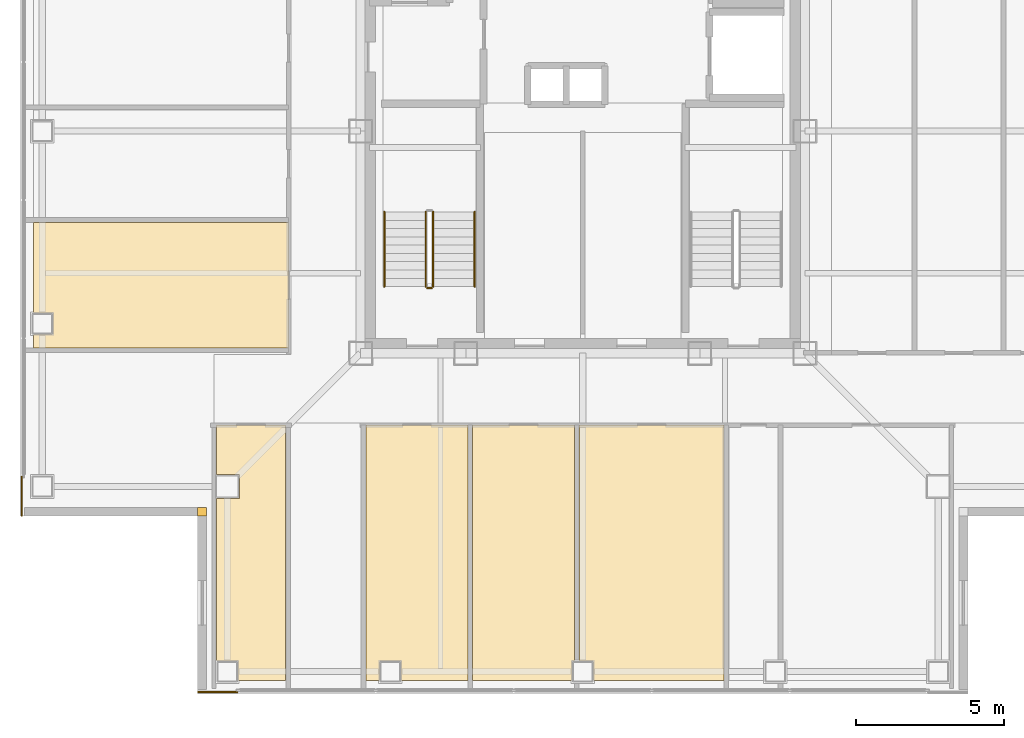
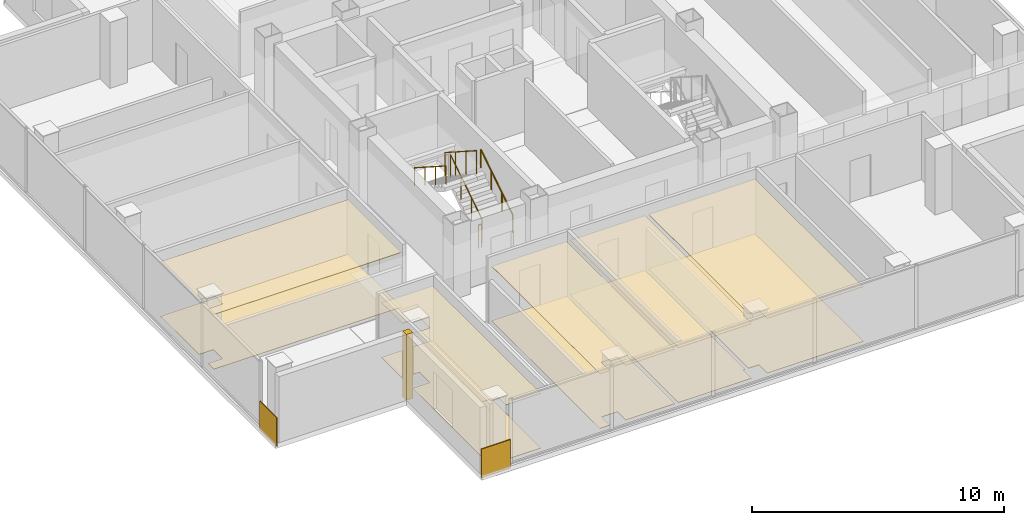
# One storey, part 11 of 16: 13 coverings, 5 railings.
"""IFC4 building model written with IfcOpenShell, lengths in metres."""

import ifcopenshell
import ifcopenshell.guid

model = None  # the IFC model being written
_history = None  # IfcOwnerHistory: only IFC2X3 demands one
_inside = {}  # id of a spatial element -> (the spatial element, [elements in it])
_under = {}  # id of a project, library or spatial element -> (it, [spatial elements below it])
_declared = {}  # id of a project -> (the project, [libraries it declares])
_typed = {}  # id of a type object -> (the type object, [elements of that type])
_made_of = {}  # id of a material, layer set ... -> (it, [elements and type objects made of it])


def new_model(schema):
    """Start an empty IFC model of exactly this schema.

    Asked for "IFC4X3", IfcOpenShell would pick the latest addendum, in which some entities
    have other attributes; the version numbers below select the first issue.
    IFC2X3 requires an IfcOwnerHistory on every rooted entity: one is made here for all.
    """
    global model, _history
    if schema == "IFC4X3":
        model = ifcopenshell.file(schema_version=(4, 3, 0, 0))
    else:
        model = ifcopenshell.file(schema=schema)
    _inside.clear()
    _under.clear()
    _declared.clear()
    _typed.clear()
    _made_of.clear()
    _history = None
    if model.schema == "IFC2X3":
        org = make("IfcOrganization", Name="unknown")
        user = make(
            "IfcPersonAndOrganization",
            ThePerson=make("IfcPerson", FamilyName="unknown"),
            TheOrganization=org,
        )
        app = make(
            "IfcApplication",
            ApplicationDeveloper=org,
            Version="unknown",
            ApplicationFullName="unknown",
            ApplicationIdentifier="unknown",
        )
        _history = make(
            "IfcOwnerHistory",
            OwningUser=user,
            OwningApplication=app,
            ChangeAction="ADDED",
            CreationDate=0,
        )
    return model


def make(cls, **values):
    """One entity of the class cls with the attributes given. An attribute that is None is left unset."""
    return model.create_entity(
        cls, **{name: value for name, value in values.items() if value is not None}
    )


def rooted(cls, **values):
    """An entity with a GlobalId (a new one), such as an element, a storey or a relation."""
    return make(cls, GlobalId=ifcopenshell.guid.new(), OwnerHistory=_history, **values)


def si_unit(unit_type, name, prefix=None):
    """IfcSIUnit, for example si_unit("LENGTHUNIT", "METRE", prefix="MILLI")."""
    return make("IfcSIUnit", UnitType=unit_type, Prefix=prefix, Name=name)


def assignment(units):
    """IfcUnitAssignment: the units of a project."""
    return None if units is None else make("IfcUnitAssignment", Units=units)


def point(xyz):
    """IfcCartesianPoint."""
    return None if xyz is None else make("IfcCartesianPoint", Coordinates=xyz)


def direction(xyz):
    """IfcDirection."""
    return None if xyz is None else make("IfcDirection", DirectionRatios=xyz)


def frame(location, z_axis=None, x_axis=None):
    """IfcAxis2Placement3D, a coordinate frame: its origin and axes. An axis left out is left unset."""
    return make(
        "IfcAxis2Placement3D",
        Location=point(location),
        Axis=direction(z_axis),
        RefDirection=direction(x_axis),
    )


def frame_2d(location, x_axis=None):
    """IfcAxis2Placement2D, a coordinate frame in the plane: its origin and x axis."""
    return make(
        "IfcAxis2Placement2D", Location=point(location), RefDirection=direction(x_axis)
    )


def origin():
    """The frame at (0, 0, 0) with its axes left unset."""
    return frame((0.0, 0.0, 0.0))


def origin_2d():
    """The frame at (0, 0) in the plane with its x axis left unset."""
    return frame_2d((0.0, 0.0))


def place(relative_to, where):
    """IfcLocalPlacement: puts the frame where relative to a parent placement (None: the world)."""
    return make(
        "IfcLocalPlacement", PlacementRelTo=relative_to, RelativePlacement=where
    )


def context(
    kind, dimensions, precision=None, world=None, true_north=None, identifier=None
):
    """IfcGeometricRepresentationContext, for example the 3D "Model" context."""
    return make(
        "IfcGeometricRepresentationContext",
        ContextIdentifier=identifier,
        ContextType=kind,
        CoordinateSpaceDimension=dimensions,
        Precision=precision,
        WorldCoordinateSystem=world,
        TrueNorth=true_north,
    )


def subcontext(parent, identifier, kind, view, scale=None):
    """IfcGeometricRepresentationSubContext, for example "Body" below "Model"."""
    return make(
        "IfcGeometricRepresentationSubContext",
        ContextIdentifier=identifier,
        ContextType=kind,
        ParentContext=parent,
        TargetScale=scale,
        TargetView=view,
    )


def project(units=None, contexts=None):
    """IfcProject with its units and contexts."""
    return rooted(
        "IfcProject",
        Name="project",
        RepresentationContexts=contexts,
        UnitsInContext=assignment(units),
    )


def spatial(cls, under=None, at=None, **own):
    """A site, building, storey or space (cls), placed at a placement, below another one or the project."""
    s = rooted(cls, ObjectPlacement=at, **own)
    if under is not None:
        _under.setdefault(under.id(), (under, []))[1].append(s)
    return s


def polyline(points):
    """IfcPolyline through the points."""
    return make("IfcPolyline", Points=[point(p) for p in points])


def profile(cls, at=None, kind="AREA", **sizes):
    """A parametric profile (cls). Its sizes go by their IFC names, for example OverallWidth=200.0."""
    return make(cls, ProfileType=kind, Position=at, **sizes)


def rectangle(**sizes):
    """IfcRectangleProfileDef."""
    return profile("IfcRectangleProfileDef", **sizes)


def circle(**sizes):
    """IfcCircleProfileDef."""
    return profile("IfcCircleProfileDef", **sizes)


def outline(outer, holes=None, kind="AREA"):
    """IfcArbitraryClosedProfileDef: a profile drawn as a closed curve; with holes, ...WithVoids."""
    if holes is None:
        return make("IfcArbitraryClosedProfileDef", ProfileType=kind, OuterCurve=outer)
    return make(
        "IfcArbitraryProfileDefWithVoids",
        ProfileType=kind,
        OuterCurve=outer,
        InnerCurves=holes,
    )


def extrude(swept, where, along, depth):
    """IfcExtrudedAreaSolid: the profile swept, set in the frame where, extruded along a direction by depth."""
    return make(
        "IfcExtrudedAreaSolid",
        SweptArea=swept,
        Position=where,
        ExtrudedDirection=direction(along),
        Depth=depth,
    )


def shape(context_of_items, identifier, shape_type, items):
    """IfcShapeRepresentation: the items that make up one representation, for example the "Body"."""
    return make(
        "IfcShapeRepresentation",
        ContextOfItems=context_of_items,
        RepresentationIdentifier=identifier,
        RepresentationType=shape_type,
        Items=items,
    )


def material(Name=None, Category=None):
    """IfcMaterial."""
    return make("IfcMaterial", Name=Name, Category=Category)


def layer(
    of_material, thickness, ventilated=None, Name=None, Category=None, Priority=None
):
    """IfcMaterialLayer: one layer of a wall or slab, of a material (None: an air gap)."""
    return make(
        "IfcMaterialLayer",
        Material=of_material,
        LayerThickness=thickness,
        IsVentilated=ventilated,
        Name=Name,
        Category=Category,
        Priority=Priority,
    )


def layer_set(layers, Name=None):
    """IfcMaterialLayerSet."""
    return make("IfcMaterialLayerSet", MaterialLayers=layers, LayerSetName=Name)


def made_of(thing, what):
    """Note that an element or type object is made of a material, layer set ...; save() writes the relation."""
    if what is not None:
        _made_of.setdefault(what.id(), (what, []))[1].append(thing)
    return thing


def type_object(cls, material=None, **own):
    """A type object (cls), such as IfcWallType, which elements share."""
    return made_of(rooted(cls, **own), material)


def element(
    cls,
    number,
    at=None,
    inside=None,
    cuts=None,
    type_object=None,
    material=None,
    context=None,
    identifier="Body",
    shape_type=None,
    held_by="IfcProductDefinitionShape",
    body=None,
    shapes=None,
    **own,
):
    """One element of the class cls, such as IfcWall. Its Tag is "e" and its number.

    at: its placement. inside: the storey or other place that contains it. cuts: it is an
    opening in that element (IfcRelVoidsElement). A single representation is given by context,
    identifier, shape_type and body (its items); several are given by shapes. held_by: the class
    of the entity that holds the representations. save() writes the other relations.
    """
    e = rooted(cls, Tag="e%d" % number, ObjectPlacement=at, **own)
    if body is not None:
        shapes = [shape(context, identifier, shape_type, body)]
    if shapes is not None:
        e.Representation = make(held_by, Representations=shapes)
    if inside is not None:
        _inside.setdefault(inside.id(), (inside, []))[1].append(e)
    if cuts is not None:
        rooted(
            "IfcRelVoidsElement", RelatingBuildingElement=cuts, RelatedOpeningElement=e
        )
    if type_object is not None:
        _typed.setdefault(type_object.id(), (type_object, []))[1].append(e)
    return made_of(e, material)


def aggregate(whole, parts):
    """IfcRelAggregates: a whole, such as a stair, and the parts it consists of."""
    return rooted("IfcRelAggregates", RelatingObject=whole, RelatedObjects=parts)


def save(model, path):
    """Write the relations noted so far, then the file.

    IfcRelAggregates (storeys below a building ...), IfcRelContainedInSpatialStructure (elements
    in a storey), IfcRelDefinesByType, IfcRelAssociatesMaterial and IfcRelDeclares: one each for
    every whole, place, type object, material and project.
    """
    for whole, parts in _under.values():
        aggregate(whole, parts)
    for where, things in _inside.values():
        rooted(
            "IfcRelContainedInSpatialStructure",
            RelatedElements=things,
            RelatingStructure=where,
        )
    for kind, things in _typed.values():
        rooted("IfcRelDefinesByType", RelatedObjects=things, RelatingType=kind)
    for what, things in _made_of.values():
        rooted("IfcRelAssociatesMaterial", RelatedObjects=things, RelatingMaterial=what)
    for by, libraries in _declared.values():
        rooted("IfcRelDeclares", RelatingContext=by, RelatedDefinitions=libraries)
    model.write(path)


model = new_model("IFC4")

# Units and contexts
model_context = context("Model", 3, precision=1e-05, world=origin(), true_north=direction((0.0, 1.0)))
body_context = subcontext(model_context, "Body", "Model", "MODEL_VIEW")
ifc_project = project(units=[si_unit("LENGTHUNIT", "METRE"), si_unit("AREAUNIT", "SQUARE_METRE"), si_unit("VOLUMEUNIT", "CUBIC_METRE"), si_unit("PLANEANGLEUNIT", "RADIAN"), si_unit("MASSUNIT", "GRAM", prefix="KILO")], contexts=[model_context])

# Site, building, storey
site_placement = place(None, origin())
site = spatial("IfcSite", under=ifc_project, at=site_placement, CompositionType="ELEMENT")
building_placement = place(site_placement, origin())
building = spatial("IfcBuilding", under=site, at=building_placement, Name="Trevonay Congress Spire", CompositionType="ELEMENT")
storey_placement = place(building_placement, frame((0.0, 0.0, 297.199951171875)))
storey = spatial("IfcBuildingStorey", under=building, at=storey_placement, Name="L78", CompositionType="ELEMENT", Elevation=297.199951171875)

# Coverings
ifc_material_1 = material(Name="Acoustic Mineral Fibre Board", Category="gypsum")
ifc_layer_1 = layer(ifc_material_1, 0.02490234375, Name="Acoustic Mineral Fibre Board")
ifc_layer_set_1 = layer_set([ifc_layer_1], Name="Acoustic Mineral Fibre Board")
covering_type_1 = type_object("IfcCoveringType", Name="COV-CEIL-ACOUSTIC", PredefinedType="CEILING", material=ifc_layer_set_1)
covering_1_placement = place(storey_placement, frame((0.0, 0.0, 2.650146484375)))
element("IfcCovering", 1, at=covering_1_placement, inside=storey, type_object=covering_type_1, Name="L78 Sommelier Reserve Tasting Kitchen acoustic suspended ceiling", PredefinedType="CEILING", context=body_context, shape_type="SweptSolid", body=[
    extrude(outline(polyline([(-12.3701171875, -18.550048828125), (-12.3701171875, -12.409912109375), (-11.590087890625, -12.409912109375), (-11.590087890625, -11.590087890625), (-12.3701171875, -11.590087890625), (-12.3701171875, -9.929931640625), (-10.030029296875, -9.929931640625), (-10.030029296875, -18.550048828125), (-11.639892578125, -18.550048828125), (-11.639892578125, -17.889892578125), (-12.360107421875, -17.889892578125), (-12.360107421875, -18.550048828125), (-12.3701171875, -18.550048828125)])), origin(), (0.0, 0.0, 1.0), 0.02490234375),
])
covering_2_placement = place(storey_placement, frame((0.0, 0.0, 2.650146484375)))
element("IfcCovering", 2, at=covering_2_placement, inside=storey, type_object=covering_type_1, Name="L78 Sky Brasserie Show Kitchen acoustic suspended ceiling", PredefinedType="CEILING", context=body_context, shape_type="SweptSolid", body=[
    extrude(outline(polyline([(-7.320068359375, -18.550048828125), (-7.320068359375, -9.929931640625), (-3.8798828125, -9.929931640625), (-3.8798828125, -18.550048828125), (-6.139892578125, -18.550048828125), (-6.139892578125, -17.889892578125), (-6.860107421875, -17.889892578125), (-6.860107421875, -18.550048828125), (-7.320068359375, -18.550048828125)])), origin(), (0.0, 0.0, 1.0), 0.02490234375),
])
covering_3_placement = place(storey_placement, frame((0.0, 0.0, 2.650146484375)))
element("IfcCovering", 3, at=covering_3_placement, inside=storey, type_object=covering_type_1, Name="L78 Pastry Studio Kitchen acoustic suspended ceiling", PredefinedType="CEILING", context=body_context, shape_type="SweptSolid", body=[
    extrude(outline(polyline([(-3.719970703125, -18.550048828125), (-3.719970703125, -9.929931640625), (-0.280029296875, -9.929931640625), (-0.280029296875, -17.889892578125), (-0.360107421875, -17.889892578125), (-0.360107421875, -18.550048828125), (-3.719970703125, -18.550048828125)])), origin(), (0.0, 0.0, 1.0), 0.02490234375),
])
covering_4_placement = place(storey_placement, frame((0.0, 0.0, 2.650146484375)))
element("IfcCovering", 4, at=covering_4_placement, inside=storey, type_object=covering_type_1, Name="L78 Espresso Roastery Bar acoustic suspended ceiling", PredefinedType="CEILING", context=body_context, shape_type="SweptSolid", body=[
    extrude(outline(polyline([(-0.1201171875, -9.929931640625), (4.77001953125, -9.929931640625), (4.77001953125, -18.550048828125), (0.360107421875, -18.550048828125), (0.360107421875, -17.889892578125), (-0.1201171875, -17.889892578125), (-0.1201171875, -9.929931640625)])), origin(), (0.0, 0.0, 1.0), 0.02490234375),
])
covering_5_placement = place(storey_placement, frame((0.0, 0.0, 2.650146484375)))
element("IfcCovering", 5, at=covering_5_placement, inside=storey, type_object=covering_type_1, Name="L78 Private Chef Table Dining acoustic suspended ceiling", PredefinedType="CEILING", context=body_context, shape_type="SweptSolid", body=[
    extrude(outline(polyline([(-18.550048828125, -3.080078125), (-9.929931640625, -3.080078125), (-9.929931640625, -7.320068359375), (-18.550048828125, -7.320068359375), (-18.550048828125, -6.860107421875), (-17.889892578125, -6.860107421875), (-17.889892578125, -6.139892578125), (-18.550048828125, -6.139892578125), (-18.550048828125, -3.080078125)])), origin(), (0.0, 0.0, 1.0), 0.02490234375),
])
ifc_material_2 = material(Name="Polished Granite Floor Tile", Category="masonry")
ifc_layer_2 = layer(ifc_material_2, 0.02001953125, Name="Polished Granite Floor Tile")
ifc_layer_set_2 = layer_set([ifc_layer_2], Name="Polished Granite Floor Tile")
covering_type_2 = type_object("IfcCoveringType", Name="COV-FLOOR-STONE", PredefinedType="FLOORING", material=ifc_layer_set_2)
covering_6_placement = place(storey_placement, origin())
element("IfcCovering", 6, at=covering_6_placement, inside=storey, type_object=covering_type_2, Name="L78 Sommelier Reserve Tasting Kitchen floor finish", PredefinedType="FLOORING", context=body_context, shape_type="SweptSolid", body=[
    extrude(outline(polyline([(-12.3701171875, -18.550048828125), (-12.3701171875, -12.409912109375), (-11.590087890625, -12.409912109375), (-11.590087890625, -11.590087890625), (-12.3701171875, -11.590087890625), (-12.3701171875, -9.929931640625), (-10.030029296875, -9.929931640625), (-10.030029296875, -18.550048828125), (-11.639892578125, -18.550048828125), (-11.639892578125, -17.889892578125), (-12.360107421875, -17.889892578125), (-12.360107421875, -18.550048828125), (-12.3701171875, -18.550048828125)])), origin(), (0.0, 0.0, 1.0), 0.02001953125),
])
covering_7_placement = place(storey_placement, origin())
element("IfcCovering", 7, at=covering_7_placement, inside=storey, type_object=covering_type_2, Name="L78 Sky Brasserie Show Kitchen floor finish", PredefinedType="FLOORING", context=body_context, shape_type="SweptSolid", body=[
    extrude(outline(polyline([(-7.320068359375, -18.550048828125), (-7.320068359375, -9.929931640625), (-3.8798828125, -9.929931640625), (-3.8798828125, -18.550048828125), (-6.139892578125, -18.550048828125), (-6.139892578125, -17.889892578125), (-6.860107421875, -17.889892578125), (-6.860107421875, -18.550048828125), (-7.320068359375, -18.550048828125)])), origin(), (0.0, 0.0, 1.0), 0.02001953125),
])
covering_8_placement = place(storey_placement, origin())
element("IfcCovering", 8, at=covering_8_placement, inside=storey, type_object=covering_type_2, Name="L78 Pastry Studio Kitchen floor finish", PredefinedType="FLOORING", context=body_context, shape_type="SweptSolid", body=[
    extrude(outline(polyline([(-3.719970703125, -18.550048828125), (-3.719970703125, -9.929931640625), (-0.280029296875, -9.929931640625), (-0.280029296875, -17.889892578125), (-0.360107421875, -17.889892578125), (-0.360107421875, -18.550048828125), (-3.719970703125, -18.550048828125)])), origin(), (0.0, 0.0, 1.0), 0.02001953125),
])
covering_9_placement = place(storey_placement, origin())
element("IfcCovering", 9, at=covering_9_placement, inside=storey, type_object=covering_type_2, Name="L78 Espresso Roastery Bar floor finish", PredefinedType="FLOORING", context=body_context, shape_type="SweptSolid", body=[
    extrude(outline(polyline([(-0.1201171875, -9.929931640625), (4.77001953125, -9.929931640625), (4.77001953125, -18.550048828125), (0.360107421875, -18.550048828125), (0.360107421875, -17.889892578125), (-0.1201171875, -17.889892578125), (-0.1201171875, -9.929931640625)])), origin(), (0.0, 0.0, 1.0), 0.02001953125),
])
covering_10_placement = place(storey_placement, origin())
element("IfcCovering", 10, at=covering_10_placement, inside=storey, type_object=covering_type_2, Name="L78 Private Chef Table Dining floor finish", PredefinedType="FLOORING", context=body_context, shape_type="SweptSolid", body=[
    extrude(outline(polyline([(-18.550048828125, -3.080078125), (-9.929931640625, -3.080078125), (-9.929931640625, -7.320068359375), (-18.550048828125, -7.320068359375), (-18.550048828125, -6.860107421875), (-17.889892578125, -6.860107421875), (-17.889892578125, -6.139892578125), (-18.550048828125, -6.139892578125), (-18.550048828125, -3.080078125)])), origin(), (0.0, 0.0, 1.0), 0.02001953125),
])
ifc_material_3 = material(Name="Pale Anodised Aluminium EN AW-6063-T6", Category="aluminium")
ifc_layer_3 = layer(ifc_material_3, 0.0400390625, Name="Pale Anodised Aluminium EN AW-6063-T6")
ifc_layer_set_3 = layer_set([ifc_layer_3], Name="Pale Anodised Aluminium EN AW-6063-T6")
covering_type_3 = type_object("IfcCoveringType", Name="COV-SPANDREL-PALE-METAL", PredefinedType="CLADDING", material=ifc_layer_set_3)
covering_11_placement = place(storey_placement, origin())
element("IfcCovering", 11, at=covering_11_placement, inside=storey, type_object=covering_type_3, Name="L78 SW re-entrant notch corner closure trim", PredefinedType="CLADDING", context=body_context, shape_type="SweptSolid", body=[
    extrude(outline(polyline([(-13.0, -13.0), (-12.699951171875, -13.0), (-12.699951171875, -12.699951171875), (-13.0, -12.699951171875), (-13.0, -13.0)])), origin(), (0.0, 0.0, 1.0), 3.199951171875),
])
for number, where, z_axis, x_axis, name in (
    (12, (-18.93994140625, -11.64990234375, -0.14990234375), (0.0, 0.0, 1.0), (0.0, -1.0, 0.0), "L78 SW corner pier spandrel cladding 1"),
    (13, (-11.64990234375, -18.93994140625, -0.14990234375), (0.0, 0.0, 1.0), (-1.0, 0.0, 0.0), "L78 SW corner pier spandrel cladding 2"),
):
    element("IfcCovering", number, at=place(storey_placement, frame(where, z_axis=z_axis, x_axis=x_axis)), inside=storey, type_object=covering_type_3, Name=name, PredefinedType="CLADDING", context=body_context, shape_type="SweptSolid", body=[
        extrude(rectangle(XDim=1.35009765625, YDim=0.0400390625, at=frame_2d((0.675048828125, 0.0))), origin(), (0.0, 0.0, 1.0), 1.39990234375),
    ])

# Railings
railing_type_1 = type_object("IfcRailingType", Name="RAL-STAIR-GUARD-110", PredefinedType="GUARDRAIL", material=ifc_material_3)
railing_1_placement = place(storey_placement, frame((-5.050048828125, -5.25, 0.179931640625)))
element("IfcRailing", 14, at=railing_1_placement, inside=storey, type_object=railing_type_1, Name="L78 ST-1 stair guard 1", PredefinedType="GUARDRAIL", context=body_context, shape_type="SweptSolid", body=[
    extrude(circle(Radius=0.02392578125, at=origin_2d()), frame((0.0, 0.0, 1.1259765625), z_axis=(0.0, 0.841162588446, 0.540782303519), x_axis=(-1.0, 0.0, 0.0)), (0.0, 0.0, 1.0), 2.995849609375),
    extrude(circle(Radius=0.02099609375, at=origin_2d()), origin(), (0.0, 0.0, 1.0), 1.101806640625),
    extrude(circle(Radius=0.02099609375, at=origin_2d()), frame((0.0, 0.840087890625, 0.5400390625)), (0.0, 0.0, 1.0), 1.101806640625),
    extrude(circle(Radius=0.02099609375, at=origin_2d()), frame((0.0, 1.679931640625, 1.080078125)), (0.0, 0.0, 1.0), 1.101806640625),
    extrude(circle(Radius=0.02099609375, at=origin_2d()), frame((0.0, 2.52001953125, 1.6201171875)), (0.0, 0.0, 1.0), 1.101806640625),
])
railing_2_placement = place(storey_placement, frame((-5.300048828125, -2.72998046875, 1.97998046875)))
element("IfcRailing", 15, at=railing_2_placement, inside=storey, type_object=railing_type_1, Name="L78 ST-1 stair guard 3", PredefinedType="GUARDRAIL", context=body_context, shape_type="SweptSolid", body=[
    extrude(circle(Radius=0.02392578125, at=origin_2d()), frame((0.0, 0.0, 1.1259765625), z_axis=(0.0, -0.841162588446, 0.540782303519), x_axis=(1.0, 0.0, 0.0)), (0.0, 0.0, 1.0), 2.995849609375),
    extrude(circle(Radius=0.02099609375, at=origin_2d()), origin(), (0.0, 0.0, 1.0), 1.101806640625),
    extrude(circle(Radius=0.02099609375, at=origin_2d()), frame((0.0, -0.840087890625, 0.5400390625)), (0.0, 0.0, 1.0), 1.101806640625),
    extrude(circle(Radius=0.02099609375, at=origin_2d()), frame((0.0, -1.679931640625, 1.080078125)), (0.0, 0.0, 1.0), 1.101806640625),
    extrude(circle(Radius=0.02099609375, at=origin_2d()), frame((0.0, -2.52001953125, 1.6201171875)), (0.0, 0.0, 1.0), 1.101806640625),
])
railing_3_placement = place(storey_placement, frame((-5.10009765625, -5.300048828125, 0.0)))
element("IfcRailing", 16, at=railing_3_placement, inside=storey, type_object=railing_type_1, Name="L78 ST-1 stair guard 4", PredefinedType="GUARDRAIL", context=body_context, shape_type="SweptSolid", body=[
    extrude(circle(Radius=0.02392578125, at=origin_2d()), frame((0.0, 0.0, 1.1259765625), z_axis=(-1.0, 0.0, 0.0), x_axis=(0.0, -1.0, 0.0)), (0.0, 0.0, 1.0), 0.14990234375),
    extrude(circle(Radius=0.02099609375, at=origin_2d()), origin(), (0.0, 0.0, 1.0), 1.101806640625),
    extrude(circle(Radius=0.02099609375, at=origin_2d()), frame((-0.14990234375, 0.0, 0.0)), (0.0, 0.0, 1.0), 1.101806640625),
])
railing_type_2 = type_object("IfcRailingType", Name="RAL-STAIR-HANDRAIL", PredefinedType="HANDRAIL", material=ifc_material_3)
railing_4_placement = place(storey_placement, frame((-3.64990234375, -5.25, 0.179931640625)))
element("IfcRailing", 17, at=railing_4_placement, inside=storey, type_object=railing_type_2, Name="L78 ST-1 stair handrail 1", PredefinedType="HANDRAIL", context=body_context, shape_type="SweptSolid", body=[
    extrude(circle(Radius=0.02392578125, at=origin_2d()), frame((0.0, 0.0, 0.8759765625), z_axis=(0.0, 0.841162588446, 0.540782303519), x_axis=(-1.0, 0.0, 0.0)), (0.0, 0.0, 1.0), 2.995849609375),
    extrude(circle(Radius=0.02099609375, at=origin_2d()), origin(), (0.0, 0.0, 1.0), 0.851806640625),
    extrude(circle(Radius=0.02099609375, at=origin_2d()), frame((0.0, 0.840087890625, 0.5400390625)), (0.0, 0.0, 1.0), 0.851806640625),
    extrude(circle(Radius=0.02099609375, at=origin_2d()), frame((0.0, 1.679931640625, 1.080078125)), (0.0, 0.0, 1.0), 0.851806640625),
    extrude(circle(Radius=0.02099609375, at=origin_2d()), frame((0.0, 2.52001953125, 1.6201171875)), (0.0, 0.0, 1.0), 0.851806640625),
])
railing_5_placement = place(storey_placement, frame((-6.699951171875, -2.72998046875, 1.97998046875)))
element("IfcRailing", 18, at=railing_5_placement, inside=storey, type_object=railing_type_2, Name="L78 ST-1 stair handrail 2", PredefinedType="HANDRAIL", context=body_context, shape_type="SweptSolid", body=[
    extrude(circle(Radius=0.02392578125, at=origin_2d()), frame((0.0, 0.0, 0.8759765625), z_axis=(0.0, -0.841162588446, 0.540782303519), x_axis=(1.0, 0.0, 0.0)), (0.0, 0.0, 1.0), 2.995849609375),
    extrude(circle(Radius=0.02099609375, at=origin_2d()), origin(), (0.0, 0.0, 1.0), 0.851806640625),
    extrude(circle(Radius=0.02099609375, at=origin_2d()), frame((0.0, -0.840087890625, 0.5400390625)), (0.0, 0.0, 1.0), 0.851806640625),
    extrude(circle(Radius=0.02099609375, at=origin_2d()), frame((0.0, -1.679931640625, 1.080078125)), (0.0, 0.0, 1.0), 0.851806640625),
    extrude(circle(Radius=0.02099609375, at=origin_2d()), frame((0.0, -2.52001953125, 1.6201171875)), (0.0, 0.0, 1.0), 0.851806640625),
])

save(model, "model.ifc")
